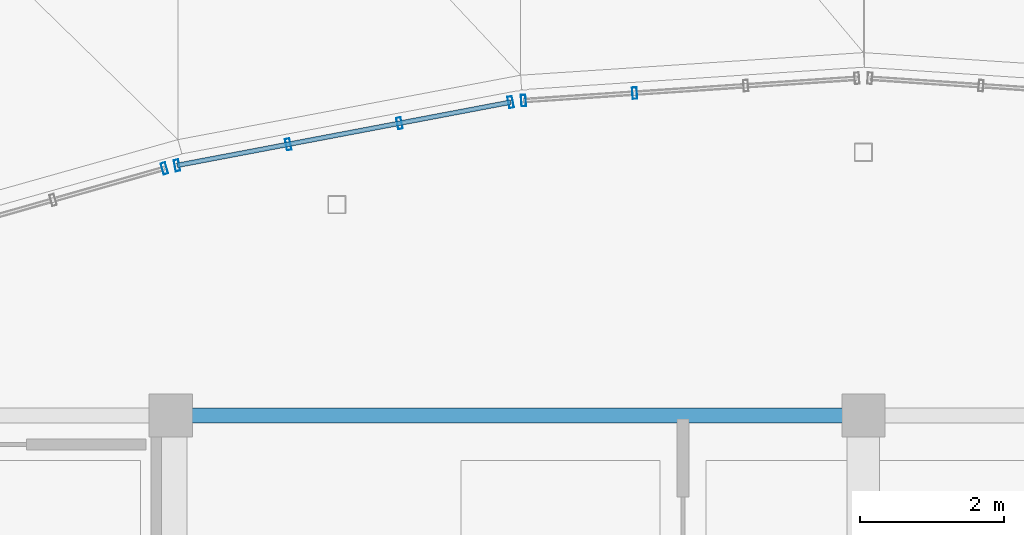
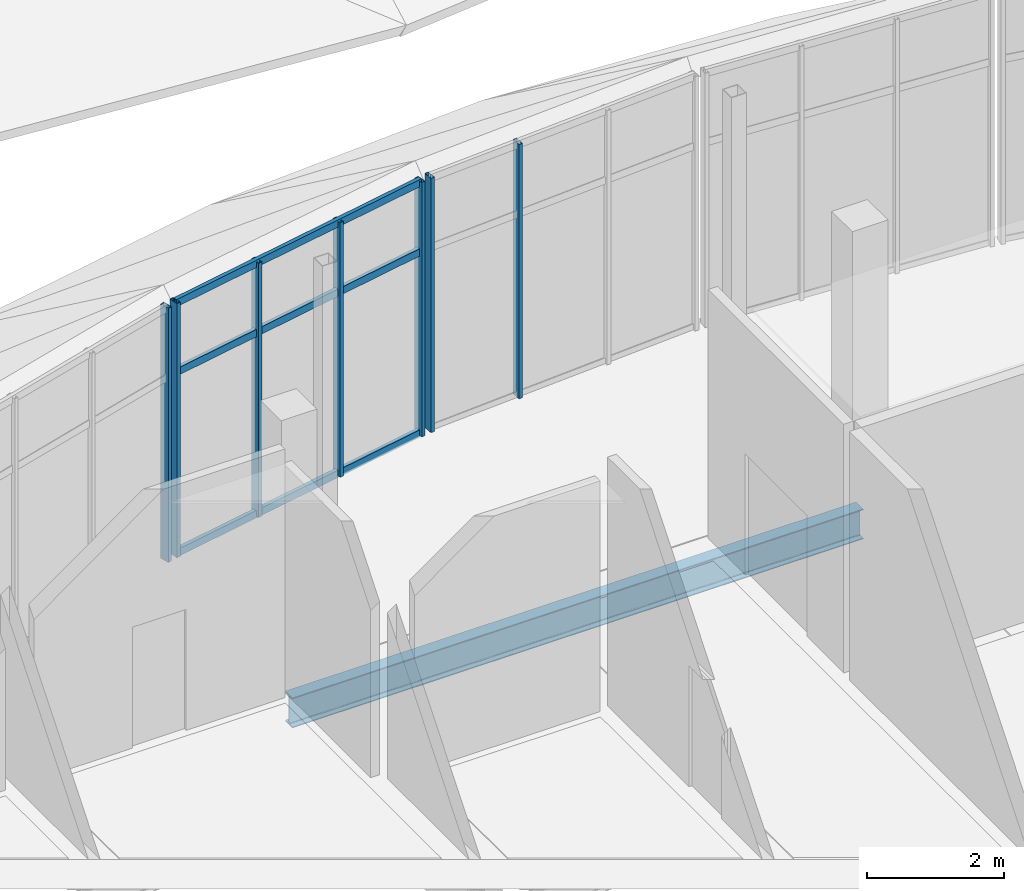
# One storey, part 31 of 116: 10 members, 1 beam, 3 elements without a shape of their own.
"""IFC4 building model written with IfcOpenShell, lengths in metres."""

from ifc_helpers import new_model, si_unit, direction, frame, origin, origin_2d, place, context, subcontext, project, spatial, hollow_rectangle, i_section, extrude, material, layer, layer_set, material_profile, profile_set, type_object, element, aggregate, save


model = new_model("IFC4")

# Units and contexts
model_context = context("Model", 3, precision=1e-05, world=origin(), true_north=direction((0.0, 1.0)))
body_context = subcontext(model_context, "Body", "Model", "MODEL_VIEW")
ifc_project = project(units=[si_unit("LENGTHUNIT", "METRE"), si_unit("AREAUNIT", "SQUARE_METRE"), si_unit("VOLUMEUNIT", "CUBIC_METRE"), si_unit("PLANEANGLEUNIT", "RADIAN"), si_unit("MASSUNIT", "GRAM", prefix="KILO")], contexts=[model_context])

# Site, building, storey
site_placement = place(None, origin())
site = spatial("IfcSite", under=ifc_project, at=site_placement, CompositionType="ELEMENT")
building_placement = place(site_placement, origin())
building = spatial("IfcBuilding", under=site, at=building_placement, Name="Chalmorin Arch Market", CompositionType="ELEMENT")
storey_placement = place(building_placement, origin())
storey = spatial("IfcBuildingStorey", under=building, at=storey_placement, Name="L00", CompositionType="ELEMENT", Elevation=0.0)

# Curtain wall, member
ifc_material_1 = material(Name="Aluminium 6063-T6", Category="aluminium")
ifc_layer_1 = layer(ifc_material_1, 0.159912109375)
ifc_layer_set_1 = layer_set([ifc_layer_1], Name="Aluminium 6063-T6")
curtain_wall_type_1 = type_object("IfcCurtainWallType", Name="RiverfrontStorefrontCurtainWall-CW2-4810x4520", PredefinedType="NOTDEFINED", material=ifc_layer_set_1)
curtain_wall_1_placement = place(storey_placement, origin())
curtain_wall_1 = element("IfcCurtainWall", 1, at=curtain_wall_1_placement, inside=storey, type_object=curtain_wall_type_1, Name="CW-02-072", PredefinedType="NOTDEFINED")
ifc_material_profile_1 = material_profile(ifc_material_1, hollow_rectangle(XDim=0.06494140625, YDim=0.159912109375, WallThickness=0.00390625, at=origin_2d()), Name="ALU65X160X4")
ifc_profile_set_1 = profile_set([ifc_material_profile_1], Name="Aluminium 6063-T6")
member_type_1 = type_object("IfcMemberType", Name="CurtainWallMullion-65x160", PredefinedType="MULLION", material=ifc_profile_set_1)
member_1_placement = place(storey_placement, frame((9.513427734375, 53.42529296875, 0.0), z_axis=(0.0, 0.0, 1.0), x_axis=(0.961261695938, 0.275637355817, 0.0)))
member_1 = element("IfcMember", 2, at=member_1_placement, type_object=member_type_1, Name="ML-072-04", PredefinedType="MULLION", context=body_context, shape_type="SweptSolid", body=[
    extrude(hollow_rectangle(XDim=0.06494140625, YDim=0.159912109375, WallThickness=0.00390625, at=origin_2d()), origin(), (0.0, 0.0, 1.0), 4.52001953125),
])
aggregate(curtain_wall_1, [member_1])

# Curtain wall, members
ifc_layer_2 = layer(ifc_material_1, 0.159912109375)
ifc_layer_set_2 = layer_set([ifc_layer_2], Name="Aluminium 6063-T6")
curtain_wall_type_2 = type_object("IfcCurtainWallType", Name="RiverfrontStorefrontCurtainWall-CW2-4710x4520", PredefinedType="NOTDEFINED", material=ifc_layer_set_2)
curtain_wall_2_placement = place(storey_placement, origin())
curtain_wall_2 = element("IfcCurtainWall", 3, at=curtain_wall_2_placement, inside=storey, type_object=curtain_wall_type_2, Name="CW-02-075", PredefinedType="NOTDEFINED")
member_2_placement = place(storey_placement, frame((9.6884765625, 53.466796875, 0.0), z_axis=(0.0, 0.0, 1.0), x_axis=(0.981627183448, 0.190808995377, 0.0)))
member_2 = element("IfcMember", 4, at=member_2_placement, type_object=member_type_1, Name="ML-075-01", PredefinedType="MULLION", context=body_context, shape_type="SweptSolid", body=[
    extrude(hollow_rectangle(XDim=0.06494140625, YDim=0.159912109375, WallThickness=0.00390625, at=origin_2d()), origin(), (0.0, 0.0, 1.0), 4.52001953125),
])
member_3_placement = place(storey_placement, frame((11.2294921875, 53.7587890625, 0.0), z_axis=(0.0, 0.0, 1.0), x_axis=(0.981627183448, 0.190808995377, 0.0)))
member_3 = element("IfcMember", 5, at=member_3_placement, type_object=member_type_1, Name="ML-075-02", PredefinedType="MULLION", context=body_context, shape_type="SweptSolid", body=[
    extrude(hollow_rectangle(XDim=0.06494140625, YDim=0.159912109375, WallThickness=0.00390625, at=origin_2d()), origin(), (0.0, 0.0, 1.0), 4.52001953125),
])
member_4_placement = place(storey_placement, frame((12.7705078125, 54.051025390625, 0.0), z_axis=(0.0, 0.0, 1.0), x_axis=(0.981627183448, 0.190808995377, 0.0)))
member_4 = element("IfcMember", 6, at=member_4_placement, type_object=member_type_1, Name="ML-075-03", PredefinedType="MULLION", context=body_context, shape_type="SweptSolid", body=[
    extrude(hollow_rectangle(XDim=0.06494140625, YDim=0.159912109375, WallThickness=0.00390625, at=origin_2d()), origin(), (0.0, 0.0, 1.0), 4.52001953125),
])
member_5_placement = place(storey_placement, frame((14.3115234375, 54.34326171875, 0.0), z_axis=(0.0, 0.0, 1.0), x_axis=(0.981627183448, 0.190808995377, 0.0)))
member_5 = element("IfcMember", 7, at=member_5_placement, type_object=member_type_1, Name="ML-075-04", PredefinedType="MULLION", context=body_context, shape_type="SweptSolid", body=[
    extrude(hollow_rectangle(XDim=0.06494140625, YDim=0.159912109375, WallThickness=0.00390625, at=origin_2d()), origin(), (0.0, 0.0, 1.0), 4.52001953125),
])

ifc_layer_3 = layer(ifc_material_1, 0.159912109375)
ifc_layer_set_3 = layer_set([ifc_layer_3], Name="Aluminium 6063-T6")
curtain_wall_type_3 = type_object("IfcCurtainWallType", Name="RiverfrontStorefrontCurtainWall-CW2-4630x4520", PredefinedType="NOTDEFINED", material=ifc_layer_set_3)
curtain_wall_3_placement = place(storey_placement, origin())
curtain_wall_3 = element("IfcCurtainWall", 8, at=curtain_wall_3_placement, inside=storey, type_object=curtain_wall_type_3, Name="CW-02-078", PredefinedType="NOTDEFINED")
member_6_placement = place(storey_placement, frame((14.48974609375, 54.365966796875, 0.0), z_axis=(0.0, 0.0, 1.0), x_axis=(0.99756405026, 0.069756473744, 0.0)))
member_6 = element("IfcMember", 9, at=member_6_placement, type_object=member_type_1, Name="ML-078-01", PredefinedType="MULLION", context=body_context, shape_type="SweptSolid", body=[
    extrude(hollow_rectangle(XDim=0.06494140625, YDim=0.159912109375, WallThickness=0.00390625, at=origin_2d()), origin(), (0.0, 0.0, 1.0), 4.52001953125),
])
member_7_placement = place(storey_placement, frame((16.02978515625, 54.46875, 0.0), z_axis=(0.0, 0.0, 1.0), x_axis=(0.99756405026, 0.069756473744, 0.0)))
member_7 = element("IfcMember", 10, at=member_7_placement, type_object=member_type_1, Name="ML-078-02", PredefinedType="MULLION", context=body_context, shape_type="SweptSolid", body=[
    extrude(hollow_rectangle(XDim=0.06494140625, YDim=0.159912109375, WallThickness=0.00390625, at=origin_2d()), origin(), (0.0, 0.0, 1.0), 4.52001953125),
])
aggregate(curtain_wall_3, [member_6, member_7])

# Member
ifc_material_profile_2 = material_profile(ifc_material_1, hollow_rectangle(XDim=0.06494140625, YDim=0.1298828125, WallThickness=0.00390625, at=origin_2d()), Name="ALU65X130X4")
ifc_profile_set_2 = profile_set([ifc_material_profile_2], Name="Aluminium 6063-T6")
member_type_2 = type_object("IfcMemberType", Name="CurtainWallTransom-65x130", PredefinedType="USERDEFINED", material=ifc_profile_set_2)
member_8_placement = place(storey_placement, frame((9.6884765625, 53.466796875, 0.034912109375), z_axis=(0.982498968618, 0.186268023729, 0.0), x_axis=(-0.186268023729, 0.982498968618, 0.0)))
member_8 = element("IfcMember", 11, at=member_8_placement, type_object=member_type_2, Name="TR-075-01", ObjectType="TRANSOM", PredefinedType="USERDEFINED", context=body_context, shape_type="SweptSolid", body=[
    extrude(hollow_rectangle(XDim=0.06494140625, YDim=0.1298828125, WallThickness=0.00390625, at=origin_2d()), origin(), (0.0, 0.0, 1.0), 4.705322265625),
])

member_9_placement = place(storey_placement, frame((9.6884765625, 53.466796875, 3.25439453125), z_axis=(0.982498968618, 0.186268023729, 0.0), x_axis=(-0.186268023729, 0.982498968618, 0.0)))
member_9 = element("IfcMember", 12, at=member_9_placement, type_object=member_type_2, Name="TR-075-02", ObjectType="TRANSOM", PredefinedType="USERDEFINED", context=body_context, shape_type="SweptSolid", body=[
    extrude(hollow_rectangle(XDim=0.06494140625, YDim=0.1298828125, WallThickness=0.00390625, at=origin_2d()), origin(), (0.0, 0.0, 1.0), 4.705322265625),
])

member_10_placement = place(storey_placement, frame((9.6884765625, 53.466796875, 4.485107421875), z_axis=(0.982498968618, 0.186268023729, 0.0), x_axis=(-0.186268023729, 0.982498968618, 0.0)))
member_10 = element("IfcMember", 13, at=member_10_placement, type_object=member_type_2, Name="TR-075-03", ObjectType="TRANSOM", PredefinedType="USERDEFINED", context=body_context, shape_type="SweptSolid", body=[
    extrude(hollow_rectangle(XDim=0.06494140625, YDim=0.1298828125, WallThickness=0.00390625, at=origin_2d()), origin(), (0.0, 0.0, 1.0), 4.705322265625),
])

aggregate(curtain_wall_2, [member_2, member_3, member_4, member_5, member_8, member_9, member_10])

# Beam
ifc_material_2 = material(Name="Steel A992 Grade 50", Category="steel")
ifc_material_profile_3 = material_profile(ifc_material_2, i_section(OverallWidth=0.208984375, OverallDepth=0.532958984375, WebThickness=0.01025390625, FlangeThickness=0.015625, FilletRadius=0.02197265625, at=origin_2d()), Name="W21X62")
ifc_profile_set_3 = profile_set([ifc_material_profile_3], Name="Steel A992 Grade 50")
beam_type = type_object("IfcBeamType", Name="PerimeterSpandrelBeam-W21X62", PredefinedType="SPANDREL", material=ifc_profile_set_3)
beam_placement = place(storey_placement, frame((9.60009765625, 50.0, -0.618408203125), z_axis=(1.0, 0.0, 0.0), x_axis=(0.0, 1.0, 0.0)))
element("IfcBeam", 14, at=beam_placement, inside=storey, type_object=beam_type, Name="SP-W21-0226", PredefinedType="SPANDREL", context=body_context, shape_type="SweptSolid", body=[
    extrude(i_section(OverallWidth=0.208984375, OverallDepth=0.532958984375, WebThickness=0.01025390625, FlangeThickness=0.015625, FilletRadius=0.02197265625, at=origin_2d()), origin(), (0.0, 0.0, 1.0), 9.599853515625),
])

save(model, "model.ifc")
